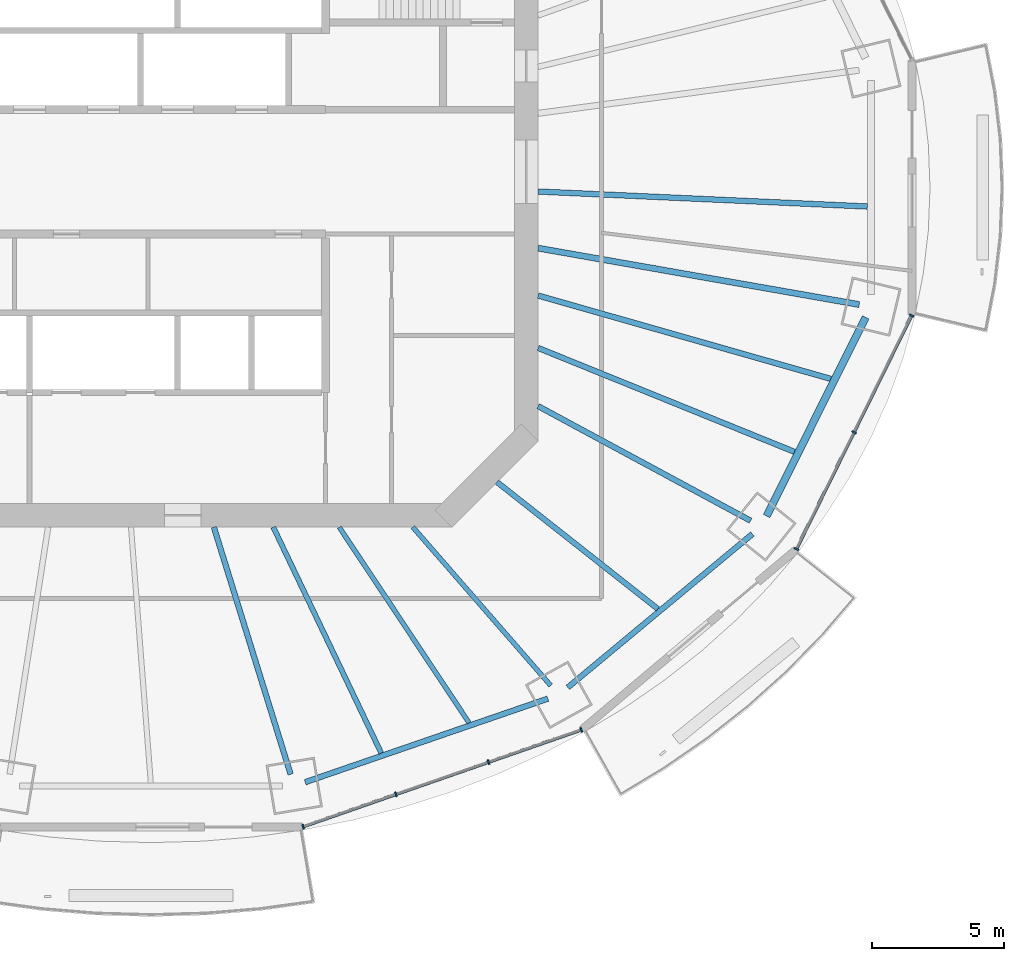
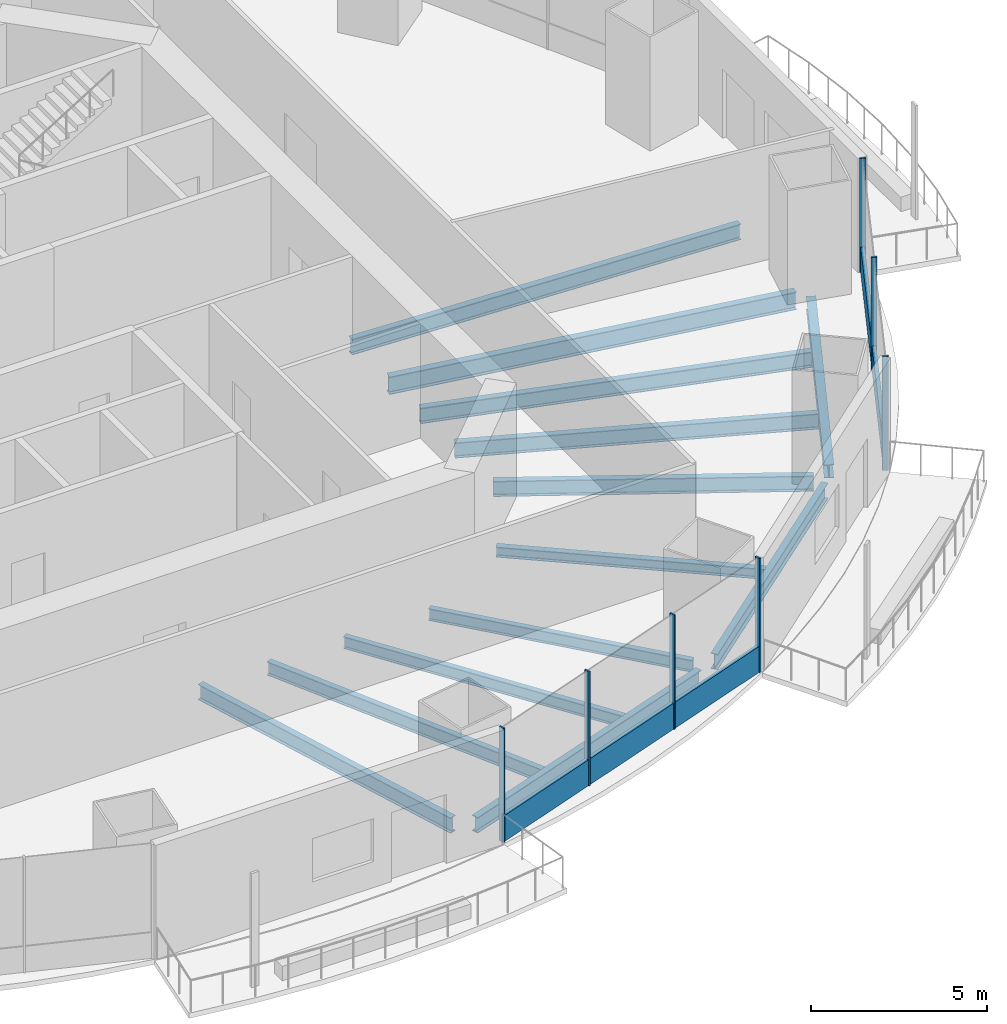
# One storey, part 4 of 18: 13 beams, 9 members, 2 elements without a shape of their own.
"""IFC4 building model written with IfcOpenShell, lengths in metres."""

from ifc_helpers import new_model, si_unit, direction, frame, origin, origin_2d, place, context, subcontext, project, spatial, rectangle, i_section, extrude, material, material_profile, profile_set, type_object, element, aggregate, save


model = new_model("IFC4")

# Units and contexts
model_context = context("Model", 3, precision=1e-05, world=origin(), true_north=direction((0.0, 1.0)))
body_context = subcontext(model_context, "Body", "Model", "MODEL_VIEW")
ifc_project = project(units=[si_unit("LENGTHUNIT", "METRE"), si_unit("AREAUNIT", "SQUARE_METRE"), si_unit("VOLUMEUNIT", "CUBIC_METRE"), si_unit("PLANEANGLEUNIT", "RADIAN"), si_unit("MASSUNIT", "GRAM", prefix="KILO")], contexts=[model_context])

# Site, building, storey
site_placement = place(None, origin())
site = spatial("IfcSite", under=ifc_project, at=site_placement, CompositionType="ELEMENT")
building_placement = place(site_placement, origin())
building = spatial("IfcBuilding", under=site, at=building_placement, Name="Marenthal Gate Tower", CompositionType="ELEMENT")
storey_placement = place(building_placement, frame((0.0, 0.0, 264.800048828125)))
storey = spatial("IfcBuildingStorey", under=building, at=storey_placement, Name="L59", CompositionType="ELEMENT", Elevation=264.800048828125)

# Curtain wall, members
ifc_material_1 = material(Name="Aluminium and glass", Category="aluminium")
curtain_wall_type = type_object("IfcCurtainWallType", Name="Curtain wall typical mid", PredefinedType="NOTDEFINED", material=ifc_material_1)
curtain_wall_1_placement = place(storey_placement, origin())
curtain_wall_1 = element("IfcCurtainWall", 1, at=curtain_wall_1_placement, inside=storey, type_object=curtain_wall_type, Name="Curtain wall L59 bay 13", PredefinedType="NOTDEFINED")
ifc_material_2 = material(Name="Aluminium", Category="aluminium")
ifc_material_profile_1 = material_profile(ifc_material_2, rectangle(XDim=0.179931640625, YDim=0.06005859375, at=origin_2d()), Name="60x180 aluminium mullion")
ifc_profile_set_1 = profile_set([ifc_material_profile_1], Name="Aluminium")
member_type_1 = type_object("IfcMemberType", Name="Mullion 60x180 typical mid", PredefinedType="MULLION", material=ifc_profile_set_1)
member_1_placement = place(storey_placement, frame((7.556396484375, -24.7841796875, 0.0), z_axis=(0.0, 0.0, 1.0), x_axis=(-0.328669787971, 0.944444900709, 0.0)))
member_1 = element("IfcMember", 2, at=member_1_placement, type_object=member_type_1, Name="Mullion L59 bay 13.1", PredefinedType="MULLION", context=body_context, shape_type="SweptSolid", body=[
    extrude(rectangle(XDim=0.179931640625, YDim=0.06005859375, at=origin_2d()), origin(), (0.0, 0.0, 1.0), 3.969970703125),
])
member_2_placement = place(storey_placement, frame((11.0654296875, -23.56298828125, 0.0), z_axis=(0.0, 0.0, 1.0), x_axis=(-0.328669787971, 0.944444900709, 0.0)))
member_2 = element("IfcMember", 3, at=member_2_placement, type_object=member_type_1, Name="Mullion L59 bay 13.2", PredefinedType="MULLION", context=body_context, shape_type="SweptSolid", body=[
    extrude(rectangle(XDim=0.179931640625, YDim=0.06005859375, at=origin_2d()), origin(), (0.0, 0.0, 1.0), 3.969970703125),
])
member_3_placement = place(storey_placement, frame((14.57470703125, -22.341796875, 0.0), z_axis=(0.0, 0.0, 1.0), x_axis=(-0.328669787971, 0.944444900709, 0.0)))
member_3 = element("IfcMember", 4, at=member_3_placement, type_object=member_type_1, Name="Mullion L59 bay 13.3", PredefinedType="MULLION", context=body_context, shape_type="SweptSolid", body=[
    extrude(rectangle(XDim=0.179931640625, YDim=0.06005859375, at=origin_2d()), origin(), (0.0, 0.0, 1.0), 3.969970703125),
])
member_4_placement = place(storey_placement, frame((18.083740234375, -21.12060546875, 0.0), z_axis=(0.0, 0.0, 1.0), x_axis=(-0.328669787971, 0.944444900709, 0.0)))
member_4 = element("IfcMember", 5, at=member_4_placement, type_object=member_type_1, Name="Mullion L59 bay 13.4", PredefinedType="MULLION", context=body_context, shape_type="SweptSolid", body=[
    extrude(rectangle(XDim=0.179931640625, YDim=0.06005859375, at=origin_2d()), origin(), (0.0, 0.0, 1.0), 3.969970703125),
])

curtain_wall_2_placement = place(storey_placement, origin())
curtain_wall_2 = element("IfcCurtainWall", 6, at=curtain_wall_2_placement, inside=storey, type_object=curtain_wall_type, Name="Curtain wall L59 bay 15", PredefinedType="NOTDEFINED")
member_5_placement = place(storey_placement, frame((26.22607421875, -14.27783203125, 0.0), z_axis=(0.0, 0.0, 1.0), x_axis=(-0.896920632002, 0.442191564697, 0.0)))
member_5 = element("IfcMember", 7, at=member_5_placement, type_object=member_type_1, Name="Mullion L59 bay 15.1", PredefinedType="MULLION", context=body_context, shape_type="SweptSolid", body=[
    extrude(rectangle(XDim=0.179931640625, YDim=0.06005859375, at=origin_2d()), origin(), (0.0, 0.0, 1.0), 3.969970703125),
])
member_6_placement = place(storey_placement, frame((28.40478515625, -9.858642578125, 0.0), z_axis=(0.0, 0.0, 1.0), x_axis=(-0.896920632002, 0.442191564697, 0.0)))
member_6 = element("IfcMember", 8, at=member_6_placement, type_object=member_type_1, Name="Mullion L59 bay 15.2", PredefinedType="MULLION", context=body_context, shape_type="SweptSolid", body=[
    extrude(rectangle(XDim=0.179931640625, YDim=0.06005859375, at=origin_2d()), origin(), (0.0, 0.0, 1.0), 3.969970703125),
])
member_7_placement = place(storey_placement, frame((30.58349609375, -5.439453125, 0.0), z_axis=(0.0, 0.0, 1.0), x_axis=(-0.896920632002, 0.442191564697, 0.0)))
member_7 = element("IfcMember", 9, at=member_7_placement, type_object=member_type_1, Name="Mullion L59 bay 15.3", PredefinedType="MULLION", context=body_context, shape_type="SweptSolid", body=[
    extrude(rectangle(XDim=0.179931640625, YDim=0.06005859375, at=origin_2d()), origin(), (0.0, 0.0, 1.0), 3.969970703125),
])

# Member
ifc_material_3 = material(Name="Aluminium", Category="aluminium")
ifc_material_profile_2 = material_profile(ifc_material_3, rectangle(XDim=0.1201171875, YDim=0.89990234375, at=origin_2d()), Name="120x900 aluminium transom")
ifc_profile_set_2 = profile_set([ifc_material_profile_2], Name="Aluminium")
member_type_2 = type_object("IfcMemberType", Name="Transom 120x900 typical mid", PredefinedType="USERDEFINED", material=ifc_profile_set_2)
member_8_placement = place(storey_placement, frame((7.584716796875, -24.774169921875, 0.449951171875), z_axis=(0.944445984358, 0.328666674047, 0.0), x_axis=(-0.328666674047, 0.944445984358, 0.0)))
member_8 = element("IfcMember", 10, at=member_8_placement, type_object=member_type_2, Name="Transom L59 bay 13", ObjectType="TRANSOM", PredefinedType="USERDEFINED", context=body_context, shape_type="SweptSolid", body=[
    extrude(rectangle(XDim=0.1201171875, YDim=0.89990234375, at=origin_2d()), origin(), (0.0, 0.0, 1.0), 11.086669921875),
])

aggregate(curtain_wall_1, [member_1, member_2, member_3, member_4, member_8])

member_9_placement = place(storey_placement, frame((26.2392578125, -14.2509765625, 0.449951171875), z_axis=(0.442201293044, 0.896915835756, 0.0), x_axis=(-0.896915835756, 0.442201293044, 0.0)))
member_9 = element("IfcMember", 11, at=member_9_placement, type_object=member_type_2, Name="Transom L59 bay 15", ObjectType="TRANSOM", PredefinedType="USERDEFINED", context=body_context, shape_type="SweptSolid", body=[
    extrude(rectangle(XDim=0.1201171875, YDim=0.89990234375, at=origin_2d()), origin(), (0.0, 0.0, 1.0), 9.794189453125),
])

aggregate(curtain_wall_2, [member_5, member_6, member_7, member_9])

# Beams
ifc_material_4 = material(Name="Steel S355", Category="steel")
ifc_material_profile_3 = material_profile(ifc_material_4, i_section(OverallWidth=0.205078125, OverallDepth=0.35302734375, WebThickness=0.009521484375, FlangeThickness=0.016845703125, FilletRadius=0.014892578125, at=origin_2d()), Name="W360X79")
ifc_profile_set_3 = profile_set([ifc_material_profile_3], Name="Steel S355")
beam_type_1 = type_object("IfcBeamType", Name="W360X79 beam", PredefinedType="BEAM", material=ifc_profile_set_3)
beam_1_placement = place(storey_placement, frame((20.981689453125, -16.544921875, -0.3564453125), z_axis=(-0.785242081101, 0.619188883999, 0.0), x_axis=(-0.619188883999, -0.785242081101, 0.0)))
element("IfcBeam", 12, at=beam_1_placement, inside=storey, type_object=beam_type_1, Name="BM-L59-37", PredefinedType="BEAM", context=body_context, shape_type="SweptSolid", body=[
    extrude(i_section(OverallWidth=0.205078125, OverallDepth=0.35302734375, WebThickness=0.009521484375, FlangeThickness=0.016845703125, FilletRadius=0.014892578125, at=origin_2d()), origin(), (0.0, 0.0, 1.0), 7.754150390625),
])
ifc_material_5 = material(Name="Steel S355", Category="steel")
ifc_material_profile_4 = material_profile(ifc_material_5, i_section(OverallWidth=0.180908203125, OverallDepth=0.4169921875, WebThickness=0.010986328125, FlangeThickness=0.018310546875, FilletRadius=0.01025390625, at=origin_2d()), Name="W410X85")
ifc_profile_set_4 = profile_set([ifc_material_profile_4], Name="Steel S355")
beam_type_2 = type_object("IfcBeamType", Name="W410X85 beam", PredefinedType="BEAM", material=ifc_profile_set_4)
beam_2_placement = place(storey_placement, frame((16.9248046875, -19.441650390625, -0.388427734375), z_axis=(-0.656583411742, 0.754253421222, 0.0), x_axis=(-0.754253421222, -0.656583411742, 0.0)))
element("IfcBeam", 13, at=beam_2_placement, inside=storey, type_object=beam_type_2, Name="BM-L59-14", PredefinedType="BEAM", context=body_context, shape_type="SweptSolid", body=[
    extrude(i_section(OverallWidth=0.180908203125, OverallDepth=0.4169921875, WebThickness=0.010986328125, FlangeThickness=0.018310546875, FilletRadius=0.01025390625, at=origin_2d()), origin(), (0.0, 0.0, 1.0), 7.94384765625),
])
beam_3_placement = place(storey_placement, frame((13.835693359375, -20.85498046875, -0.388427734375), z_axis=(-0.552822132695, 0.833299279732, 0.0), x_axis=(-0.833299279732, -0.552822132695, 0.0)))
element("IfcBeam", 14, at=beam_3_placement, inside=storey, type_object=beam_type_2, Name="BM-L59-36", PredefinedType="BEAM", context=body_context, shape_type="SweptSolid", body=[
    extrude(i_section(OverallWidth=0.180908203125, OverallDepth=0.4169921875, WebThickness=0.010986328125, FlangeThickness=0.018310546875, FilletRadius=0.01025390625, at=origin_2d()), origin(), (0.0, 0.0, 1.0), 8.886474609375),
])
ifc_material_6 = material(Name="Steel S355", Category="steel")
ifc_material_profile_5 = material_profile(ifc_material_6, i_section(OverallWidth=0.279052734375, OverallDepth=0.4619140625, WebThickness=0.0107421875, FlangeThickness=0.017333984375, FilletRadius=0.010009765625, at=origin_2d()), Name="W460X113")
ifc_profile_set_5 = profile_set([ifc_material_profile_5], Name="Steel S355")
beam_type_3 = type_object("IfcBeamType", Name="W460X113 beam", PredefinedType="BEAM", material=ifc_profile_set_5)
beam_4_placement = place(storey_placement, frame((25.098388671875, -13.027099609375, -0.4111328125), z_axis=(0.446074295106, 0.894995934765, 0.0), x_axis=(-0.894995934765, 0.446074295106, 0.0)))
element("IfcBeam", 15, at=beam_4_placement, inside=storey, type_object=beam_type_3, Name="BM-L59-55", PredefinedType="BEAM", context=body_context, shape_type="SweptSolid", body=[
    extrude(i_section(OverallWidth=0.279052734375, OverallDepth=0.4619140625, WebThickness=0.0107421875, FlangeThickness=0.017333984375, FilletRadius=0.010009765625, at=origin_2d()), origin(), (0.0, 0.0, 1.0), 8.40283203125),
])
ifc_material_7 = material(Name="Steel S355", Category="steel")
ifc_material_profile_6 = material_profile(ifc_material_7, i_section(OverallWidth=0.193115234375, OverallDepth=0.467041015625, WebThickness=0.011474609375, FlangeThickness=0.01904296875, FilletRadius=0.010009765625, at=origin_2d()), Name="W460X97")
ifc_profile_set_6 = profile_set([ifc_material_profile_6], Name="Steel S355")
beam_type_4 = type_object("IfcBeamType", Name="W460X97 beam", PredefinedType="BEAM", material=ifc_profile_set_6)
beam_5_placement = place(storey_placement, frame((10.511962890625, -21.9990234375, -0.41357421875), z_axis=(-0.431135442532, 0.902287221561, 0.0), x_axis=(-0.902287221561, -0.431135442532, 0.0)))
element("IfcBeam", 16, at=beam_5_placement, inside=storey, type_object=beam_type_4, Name="BM-L59-35", PredefinedType="BEAM", context=body_context, shape_type="SweptSolid", body=[
    extrude(i_section(OverallWidth=0.193115234375, OverallDepth=0.467041015625, WebThickness=0.011474609375, FlangeThickness=0.01904296875, FilletRadius=0.010009765625, at=origin_2d()), origin(), (0.0, 0.0, 1.0), 9.474853515625),
])
ifc_material_8 = material(Name="Steel S355", Category="steel")
ifc_material_profile_7 = material_profile(ifc_material_8, i_section(OverallWidth=0.2099609375, OverallDepth=0.535888671875, WebThickness=0.010986328125, FlangeThickness=0.017333984375, FilletRadius=0.0126953125, at=origin_2d()), Name="W530X101")
ifc_profile_set_7 = profile_set([ifc_material_profile_7], Name="Steel S355")
beam_type_5 = type_object("IfcBeamType", Name="W530X101 beam", PredefinedType="BEAM", material=ifc_profile_set_7)
beam_6_placement = place(storey_placement, frame((7.08349609375, -22.805908203125, -0.447998046875), z_axis=(-0.296625732146, 0.954993808896, 0.0), x_axis=(-0.954993808896, -0.296625732146, 0.0)))
element("IfcBeam", 17, at=beam_6_placement, inside=storey, type_object=beam_type_5, Name="BM-L59-13", PredefinedType="BEAM", context=body_context, shape_type="SweptSolid", body=[
    extrude(i_section(OverallWidth=0.2099609375, OverallDepth=0.535888671875, WebThickness=0.010986328125, FlangeThickness=0.017333984375, FilletRadius=0.0126953125, at=origin_2d()), origin(), (0.0, 0.0, 1.0), 9.796875),
])
beam_7_placement = place(storey_placement, frame((24.489013671875, -13.205810546875, -0.447998046875), z_axis=(-0.880185977713, 0.474628954697, 0.0), x_axis=(-0.474628954697, -0.880185977713, 0.0)))
element("IfcBeam", 18, at=beam_7_placement, inside=storey, type_object=beam_type_5, Name="BM-L59-15", PredefinedType="BEAM", context=body_context, shape_type="SweptSolid", body=[
    extrude(i_section(OverallWidth=0.2099609375, OverallDepth=0.535888671875, WebThickness=0.010986328125, FlangeThickness=0.017333984375, FilletRadius=0.0126953125, at=origin_2d()), origin(), (0.0, 0.0, 1.0), 9.13330078125),
])
beam_8_placement = place(storey_placement, frame((26.152099609375, -10.60009765625, -0.447998046875), z_axis=(-0.926762089721, 0.375648810801, 0.0), x_axis=(-0.375648810801, -0.926762089721, 0.0)))
element("IfcBeam", 19, at=beam_8_placement, inside=storey, type_object=beam_type_5, Name="BM-L59-38", PredefinedType="BEAM", context=body_context, shape_type="SweptSolid", body=[
    extrude(i_section(OverallWidth=0.2099609375, OverallDepth=0.535888671875, WebThickness=0.010986328125, FlangeThickness=0.017333984375, FilletRadius=0.0126953125, at=origin_2d()), origin(), (0.0, 0.0, 1.0), 10.46875),
])
ifc_material_9 = material(Name="Steel S355", Category="steel")
ifc_material_profile_8 = material_profile(ifc_material_9, i_section(OverallWidth=0.2119140625, OverallDepth=0.5439453125, WebThickness=0.01318359375, FlangeThickness=0.021240234375, FilletRadius=0.0126953125, at=origin_2d()), Name="W530X123")
ifc_profile_set_8 = profile_set([ifc_material_profile_8], Name="Steel S355")
beam_type_6 = type_object("IfcBeamType", Name="W530X123 beam", PredefinedType="BEAM", material=ifc_profile_set_8)
beam_9_placement = place(storey_placement, frame((27.528076171875, -7.839599609375, -0.4521484375), z_axis=(-0.961761933895, 0.273886806016, 0.0), x_axis=(-0.273886806016, -0.961761933895, 0.0)))
element("IfcBeam", 20, at=beam_9_placement, inside=storey, type_object=beam_type_6, Name="BM-L59-39", PredefinedType="BEAM", context=body_context, shape_type="SweptSolid", body=[
    extrude(i_section(OverallWidth=0.2119140625, OverallDepth=0.5439453125, WebThickness=0.01318359375, FlangeThickness=0.021240234375, FilletRadius=0.0126953125, at=origin_2d()), origin(), (0.0, 0.0, 1.0), 11.5185546875),
])
beam_10_placement = place(storey_placement, frame((28.90771484375, -1.314208984375, -0.4521484375), z_axis=(-0.998968015393, 0.045419205435, 0.0), x_axis=(-0.045419205435, -0.998968015393, 0.0)))
element("IfcBeam", 21, at=beam_10_placement, inside=storey, type_object=beam_type_6, Name="BM-L59-40", PredefinedType="BEAM", context=body_context, shape_type="SweptSolid", body=[
    extrude(i_section(OverallWidth=0.2119140625, OverallDepth=0.5439453125, WebThickness=0.01318359375, FlangeThickness=0.021240234375, FilletRadius=0.0126953125, at=origin_2d()), origin(), (0.0, 0.0, 1.0), 12.470703125),
])
beam_11_placement = place(storey_placement, frame((7.634033203125, -23.101806640625, -0.4521484375), z_axis=(0.945541390223, 0.325501888434, 0.0), x_axis=(-0.325501888434, 0.945541390223, 0.0)))
element("IfcBeam", 22, at=beam_11_placement, inside=storey, type_object=beam_type_6, Name="BM-L59-53", PredefinedType="BEAM", context=body_context, shape_type="SweptSolid", body=[
    extrude(i_section(OverallWidth=0.2119140625, OverallDepth=0.5439453125, WebThickness=0.01318359375, FlangeThickness=0.021240234375, FilletRadius=0.0126953125, at=origin_2d()), origin(), (0.0, 0.0, 1.0), 9.7138671875),
])
beam_12_placement = place(storey_placement, frame((17.57373046875, -19.514892578125, -0.4521484375), z_axis=(0.769071224025, 0.639163087464, 0.0), x_axis=(-0.639163087464, 0.769071224025, 0.0)))
element("IfcBeam", 23, at=beam_12_placement, inside=storey, type_object=beam_type_6, Name="BM-L59-54", PredefinedType="BEAM", context=body_context, shape_type="SweptSolid", body=[
    extrude(i_section(OverallWidth=0.2119140625, OverallDepth=0.5439453125, WebThickness=0.01318359375, FlangeThickness=0.021240234375, FilletRadius=0.0126953125, at=origin_2d()), origin(), (0.0, 0.0, 1.0), 9.0810546875),
])
ifc_material_10 = material(Name="Steel S355", Category="steel")
ifc_material_profile_9 = material_profile(ifc_material_10, i_section(OverallWidth=0.22900390625, OverallDepth=0.612060546875, WebThickness=0.011962890625, FlangeThickness=0.01953125, FilletRadius=0.0126953125, at=origin_2d()), Name="W610X125")
ifc_profile_set_9 = profile_set([ifc_material_profile_9], Name="Steel S355")
beam_type_7 = type_object("IfcBeamType", Name="W610X125 beam", PredefinedType="BEAM", material=ifc_profile_set_9)
beam_13_placement = place(storey_placement, frame((28.602294921875, -5.02587890625, -0.486083984375), z_axis=(-0.984911969998, 0.173056093089, 0.0), x_axis=(-0.173056093089, -0.984911969998, 0.0)))
element("IfcBeam", 24, at=beam_13_placement, inside=storey, type_object=beam_type_7, Name="BM-L59-16", PredefinedType="BEAM", context=body_context, shape_type="SweptSolid", body=[
    extrude(i_section(OverallWidth=0.22900390625, OverallDepth=0.612060546875, WebThickness=0.011962890625, FlangeThickness=0.01953125, FilletRadius=0.0126953125, at=origin_2d()), origin(), (0.0, 0.0, 1.0), 12.338623046875),
])

save(model, "model.ifc")
